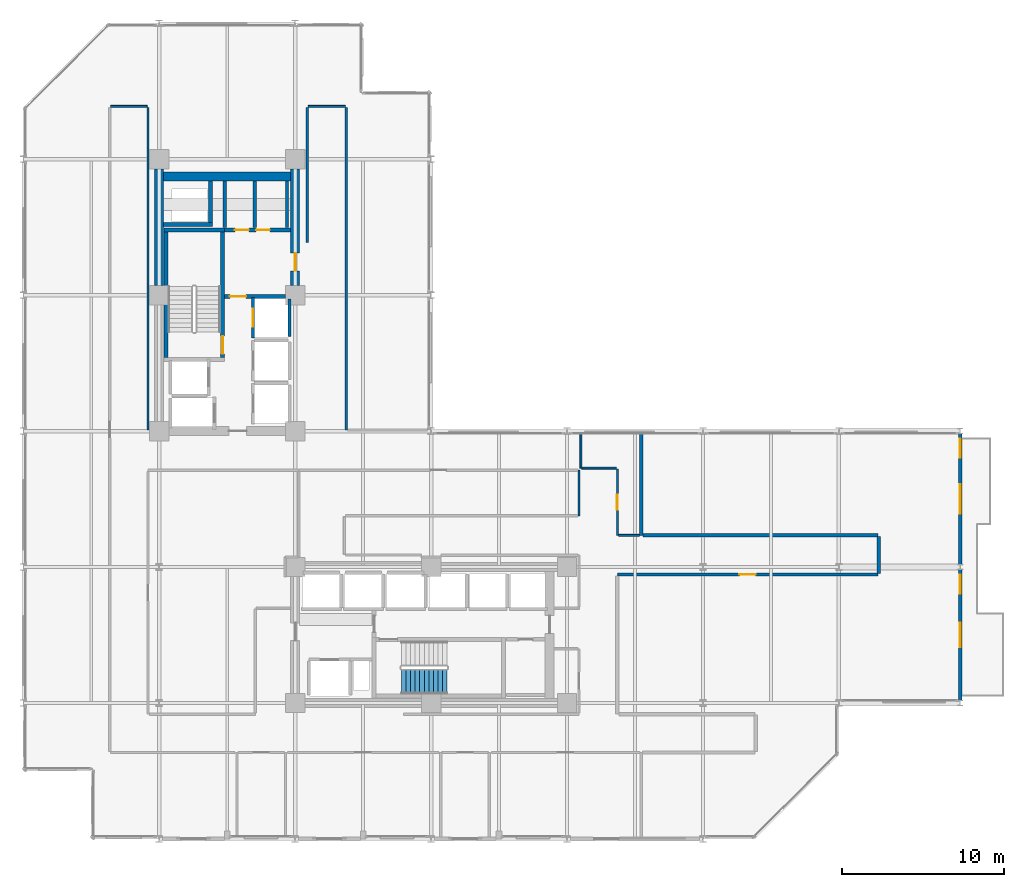
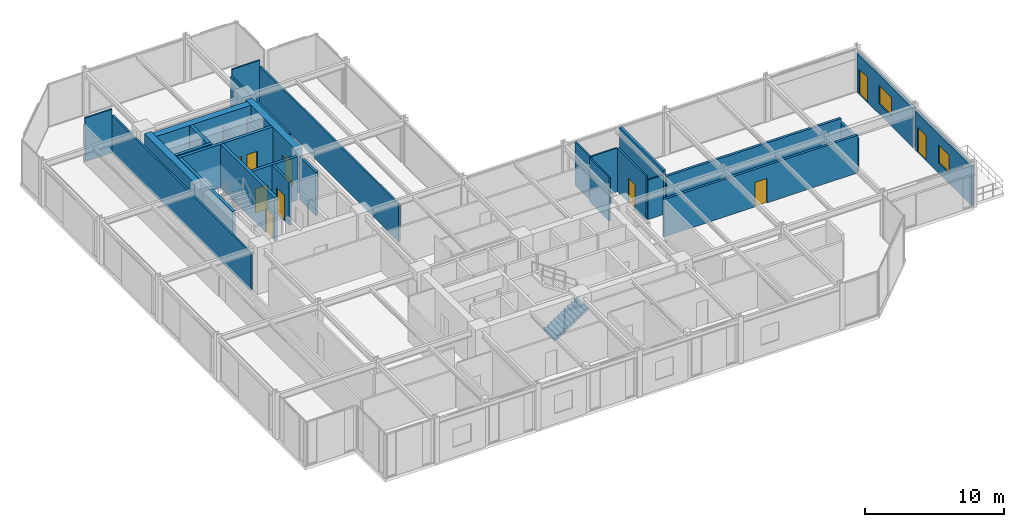
# One storey, part 34 of 38: 31 walls, 10 doors, 2 windows, 1 stair flight, 12 openings, 1 element without a shape of its own.
"""IFC4 building model written with IfcOpenShell, lengths in metres."""

from ifc_helpers import new_model, si_unit, direction, frame, frame_2d, origin, place, context, subcontext, project, spatial, polyline, rectangle, outline, extrude, material, layer, layer_set, type_object, element, fill, aggregate, save


model = new_model("IFC4")

# Units and contexts
model_context = context("Model", 3, precision=1e-05, world=origin(), true_north=direction((0.0, 1.0)))
body_context = subcontext(model_context, "Body", "Model", "MODEL_VIEW")
ifc_project = project(units=[si_unit("LENGTHUNIT", "METRE"), si_unit("AREAUNIT", "SQUARE_METRE"), si_unit("VOLUMEUNIT", "CUBIC_METRE"), si_unit("PLANEANGLEUNIT", "RADIAN"), si_unit("MASSUNIT", "GRAM", prefix="KILO")], contexts=[model_context])

# Site, building, storey
site_placement = place(None, origin())
site = spatial("IfcSite", under=ifc_project, at=site_placement, CompositionType="ELEMENT")
building_placement = place(site_placement, origin())
building = spatial("IfcBuilding", under=site, at=building_placement, Name="Nerrivon Quay Data Exchange", CompositionType="ELEMENT")
storey_placement = place(building_placement, frame((0.0, 0.0, 84.39990234375)))
storey = spatial("IfcBuildingStorey", under=building, at=storey_placement, Name="L19", CompositionType="ELEMENT", Elevation=84.39990234375)

# Wall, openings, door, window
ifc_material_1 = material(Name="Architectural terracotta precast concrete N50 (50 MPa)", Category="masonry")
ifc_layer_1 = layer(ifc_material_1, 0.239990234375)
ifc_layer_set_1 = layer_set([ifc_layer_1], Name="Architectural terracotta precast concrete N50 (50 MPa)")
wall_type_1 = type_object("IfcWallType", Name="EW-PREC-240", PredefinedType="STANDARD", material=ifc_layer_set_1)
wall_1_placement = place(storey_placement, frame((57.89990234375, 25.03662109375, 0.0), z_axis=(0.0, 0.0, 1.0), x_axis=(0.0, -1.0, 0.0)))
wall_1 = element("IfcWall", 1, at=wall_1_placement, inside=storey, type_object=wall_type_1, Name="L19 Terrace Host Wall 1", PredefinedType="STANDARD", context=body_context, shape_type="SweptSolid", body=[
    extrude(rectangle(XDim=8.0732421875, YDim=0.239990234375, at=frame_2d((4.03662109375, 0.0))), origin(), (0.0, 0.0, 1.0), 3.422119140625),
])
opening_1_placement = place(wall_1_placement, frame((0.300048828125, 0.0, 0.0)))
opening_1 = element("IfcOpeningElement", 2, at=opening_1_placement, cuts=wall_1, Name="Opening TD1", PredefinedType="OPENING", context=body_context, shape_type="SweptSolid", body=[
    extrude(rectangle(XDim=1.199951171875, YDim=2.199951171875, at=frame_2d((0.60009765625, 1.10009765625))), frame((0.0, 0.1298828125, 0.0), z_axis=(0.0, -1.0, 0.0), x_axis=(1.0, 0.0, 0.0)), (0.0, 0.0, 1.0), 0.260009765625),
])
opening_2_placement = place(wall_1_placement, frame((3.136474609375, 0.0, 0.89990234375)))
opening_2 = element("IfcOpeningElement", 3, at=opening_2_placement, cuts=wall_1, Name="Opening WN2", PredefinedType="OPENING", context=body_context, shape_type="SweptSolid", body=[
    extrude(rectangle(XDim=1.800048828125, YDim=1.60009765625, at=frame_2d((0.89990234375, 0.800048828125))), frame((0.0, 0.1298828125, 0.0), z_axis=(0.0, -1.0, 0.0), x_axis=(1.0, 0.0, 0.0)), (0.0, 0.0, 1.0), 0.260009765625),
])
ifc_material_2 = material(Name="Double-glazed low-E solar control glass", Category="glass")
door_type_1 = type_object("IfcDoorType", Name="DR-TERR-1200x2200", OperationType="NOTDEFINED", PredefinedType="DOOR", material=ifc_material_2)
door_1_placement = place(opening_1_placement, origin())
door_1 = element("IfcDoor", 4, at=door_1_placement, inside=storey, type_object=door_type_1, Name="L19 Outdoor Terrace Access Door 1", OperationType="SINGLE_SWING_RIGHT", OverallHeight=2.199951171875, OverallWidth=1.199951171875, PredefinedType="DOOR", context=body_context, shape_type="SweptSolid", body=[
    extrude(rectangle(XDim=1.199951171875, YDim=2.199951171875, at=frame_2d((0.60009765625, 1.10009765625))), frame((0.0, 0.02490234375, 0.0), z_axis=(0.0, -1.0, 0.0), x_axis=(1.0, 0.0, 0.0)), (0.0, 0.0, 1.0), 0.050048828125),
])
fill(opening_1, door_1)
window_type_1 = type_object("IfcWindowType", Name="WIN-W2-1800x1600", PartitioningType="SINGLE_PANEL", PredefinedType="WINDOW", material=ifc_material_2)
window_1_placement = place(opening_2_placement, origin())
window_1 = element("IfcWindow", 5, at=window_1_placement, inside=storey, type_object=window_type_1, Name="L19 Terrace Side Window 1", OverallHeight=1.60009765625, OverallWidth=1.800048828125, PartitioningType="SINGLE_PANEL", PredefinedType="WINDOW", context=body_context, shape_type="SweptSolid", body=[
    extrude(rectangle(XDim=1.800048828125, YDim=1.60009765625, at=frame_2d((0.89990234375, 0.800048828125))), frame((0.0, 0.030029296875, 0.0), z_axis=(0.0, -1.0, 0.0), x_axis=(1.0, 0.0, 0.0)), (0.0, 0.0, 1.0), 0.06005859375),
])
fill(opening_2, window_1)

wall_2_placement = place(storey_placement, frame((57.89990234375, 16.636474609375, 0.0), z_axis=(0.0, 0.0, 1.0), x_axis=(0.0, -1.0, 0.0)))
wall_2 = element("IfcWall", 6, at=wall_2_placement, inside=storey, type_object=wall_type_1, Name="L19 Terrace Host Wall 2", PredefinedType="STANDARD", context=body_context, shape_type="SweptSolid", body=[
    extrude(rectangle(XDim=8.072998046875, YDim=0.239990234375, at=frame_2d((4.03662109375, 0.0))), origin(), (0.0, 0.0, 1.0), 3.422119140625),
])
opening_3_placement = place(wall_2_placement, frame((0.300048828125, 0.0, 0.0)))
opening_3 = element("IfcOpeningElement", 7, at=opening_3_placement, cuts=wall_2, Name="Opening TD1", PredefinedType="OPENING", context=body_context, shape_type="SweptSolid", body=[
    extrude(rectangle(XDim=1.199951171875, YDim=2.199951171875, at=frame_2d((0.60009765625, 1.10009765625))), frame((0.0, 0.1298828125, 0.0), z_axis=(0.0, -1.0, 0.0), x_axis=(1.0, 0.0, 0.0)), (0.0, 0.0, 1.0), 0.260009765625),
])
opening_4_placement = place(wall_2_placement, frame((3.28662109375, 0.0, 0.89990234375)))
opening_4 = element("IfcOpeningElement", 8, at=opening_4_placement, cuts=wall_2, Name="Opening WN4", PredefinedType="OPENING", context=body_context, shape_type="SweptSolid", body=[
    extrude(rectangle(XDim=1.5, YDim=1.60009765625, at=frame_2d((0.75, 0.800048828125))), frame((0.0, 0.1298828125, 0.0), z_axis=(0.0, -1.0, 0.0), x_axis=(1.0, 0.0, 0.0)), (0.0, 0.0, 1.0), 0.260009765625),
])
door_2_placement = place(opening_3_placement, origin())
door_2 = element("IfcDoor", 9, at=door_2_placement, inside=storey, type_object=door_type_1, Name="L19 Outdoor Terrace Access Door 2", OperationType="SINGLE_SWING_LEFT", OverallHeight=2.199951171875, OverallWidth=1.199951171875, PredefinedType="DOOR", context=body_context, shape_type="SweptSolid", body=[
    extrude(rectangle(XDim=1.199951171875, YDim=2.199951171875, at=frame_2d((0.60009765625, 1.10009765625))), frame((0.0, 0.02490234375, 0.0), z_axis=(0.0, -1.0, 0.0), x_axis=(1.0, 0.0, 0.0)), (0.0, 0.0, 1.0), 0.050048828125),
])
fill(opening_3, door_2)
window_type_2 = type_object("IfcWindowType", Name="WIN-W4-1500x1600", PartitioningType="SINGLE_PANEL", PredefinedType="WINDOW", material=ifc_material_2)
window_2_placement = place(opening_4_placement, origin())
window_2 = element("IfcWindow", 10, at=window_2_placement, inside=storey, type_object=window_type_2, Name="L19 Terrace Side Window 2", OverallHeight=1.60009765625, OverallWidth=1.5, PartitioningType="SINGLE_PANEL", PredefinedType="WINDOW", context=body_context, shape_type="SweptSolid", body=[
    extrude(rectangle(XDim=1.5, YDim=1.60009765625, at=frame_2d((0.75, 0.800048828125))), frame((0.0, 0.030029296875, 0.0), z_axis=(0.0, -1.0, 0.0), x_axis=(1.0, 0.0, 0.0)), (0.0, 0.0, 1.0), 0.06005859375),
])
fill(opening_4, window_2)

# Walls
ifc_material_3 = material(Name="Concrete S65 (65 MPa)", Category="concrete")
ifc_layer_2 = layer(ifc_material_3, 0.550048828125)
ifc_layer_set_2 = layer_set([ifc_layer_2], Name="Concrete S65 (65 MPa)")
wall_type_2 = type_object("IfcWallType", Name="WALL-CW-700", PredefinedType="SHEAR", material=ifc_layer_set_2)
wall_3_placement = place(storey_placement, frame((8.39990234375, 34.199951171875, 0.0), z_axis=(0.0, 0.0, 1.0), x_axis=(0.0, 1.0, 0.0)))
element("IfcWall", 11, at=wall_3_placement, inside=storey, type_object=wall_type_2, Name="L19 West Split-Core Shear Wall WCW-W2", PredefinedType="SHEAR", context=body_context, shape_type="SweptSolid", body=[
    extrude(rectangle(XDim=7.199951171875, YDim=0.550048828125, at=frame_2d((3.60009765625, 0.0))), origin(), (0.0, 0.0, 1.0), 3.8251953125),
])
wall_4_placement = place(storey_placement, frame((8.675048828125, 40.925048828125, 0.0), z_axis=(0.0, 0.0, 1.0), x_axis=(1.0, 0.0, 0.0)))
element("IfcWall", 12, at=wall_4_placement, inside=storey, type_object=wall_type_2, Name="L19 West Split-Core Shear Wall WCW-N1", PredefinedType="SHEAR", context=body_context, shape_type="SweptSolid", body=[
    extrude(rectangle(XDim=7.849853515625, YDim=0.550048828125, at=frame_2d((3.9248046875, 0.0))), origin(), (0.0, 0.0, 1.0), 3.8251953125),
])

# Wall, opening, door
wall_5_placement = place(storey_placement, frame((16.800048828125, 34.199951171875, 0.0), z_axis=(0.0, 0.0, 1.0), x_axis=(0.0, 1.0, 0.0)))
wall_5 = element("IfcWall", 13, at=wall_5_placement, inside=storey, type_object=wall_type_2, Name="L19 West Split-Core Shear Wall WCW-E1", PredefinedType="SHEAR", context=body_context, shape_type="SweptSolid", body=[
    extrude(rectangle(XDim=7.199951171875, YDim=0.550048828125, at=frame_2d((3.60009765625, 0.0))), origin(), (0.0, 0.0, 1.0), 3.8251953125),
])
opening_5_placement = place(wall_5_placement, frame((0.89990234375, 0.0, 0.0)))
opening_5 = element("IfcOpeningElement", 14, at=opening_5_placement, cuts=wall_5, Name="Opening FD-120", PredefinedType="OPENING", context=body_context, shape_type="SweptSolid", body=[
    extrude(rectangle(XDim=1.10009765625, YDim=2.14990234375, at=frame_2d((0.550048828125, 1.074951171875))), frame((0.0, 0.284912109375, 0.0), z_axis=(0.0, -1.0, 0.0), x_axis=(1.0, 0.0, 0.0)), (0.0, 0.0, 1.0), 0.570068359375),
])
ifc_material_4 = material(Name="Powder-coated galvanized steel sheet", Category="steel")
door_type_2 = type_object("IfcDoorType", Name="DR-FD120-1100", OperationType="NOTDEFINED", PredefinedType="DOOR", material=ifc_material_4)
door_3_placement = place(opening_5_placement, origin())
door_3 = element("IfcDoor", 15, at=door_3_placement, inside=storey, type_object=door_type_2, Name="L19 West Core Lobby Fire Door", OperationType="SINGLE_SWING_RIGHT", OverallHeight=2.14990234375, OverallWidth=1.10009765625, PredefinedType="DOOR", context=body_context, shape_type="SweptSolid", body=[
    extrude(rectangle(XDim=1.10009765625, YDim=2.14990234375, at=frame_2d((0.550048828125, 1.074951171875))), frame((0.0, 0.02490234375, 0.0), z_axis=(0.0, -1.0, 0.0), x_axis=(1.0, 0.0, 0.0)), (0.0, 0.0, 1.0), 0.050048828125),
])
fill(opening_5, door_3)

ifc_material_5 = material(Name="Gypsum plasterboard on cold-formed framing", Category="gypsum")
ifc_layer_3 = layer(ifc_material_5, 0.199951171875)
ifc_layer_set_3 = layer_set([ifc_layer_3], Name="Gypsum plasterboard on cold-formed framing")
wall_type_3 = type_object("IfcWallType", Name="WALL-FW-200", PredefinedType="PARTITIONING", material=ifc_layer_set_3)
wall_6_placement = place(storey_placement, frame((14.199951171875, 30.949951171875, 0.0), z_axis=(0.0, 0.0, 1.0), x_axis=(0.0, 1.0, 0.0)))
wall_6 = element("IfcWall", 16, at=wall_6_placement, inside=storey, type_object=wall_type_3, Name="L19 Lift Front Wall PL3", PredefinedType="PARTITIONING", context=body_context, shape_type="SweptSolid", body=[
    extrude(rectangle(XDim=2.5, YDim=0.199951171875, at=frame_2d((1.25, 0.0))), origin(), (0.0, 0.0, 1.0), 3.8251953125),
])
opening_6_placement = place(wall_6_placement, frame((0.699951171875, 0.0, 0.0)))
opening_6 = element("IfcOpeningElement", 17, at=opening_6_placement, cuts=wall_6, Name="Opening LD-120", PredefinedType="OPENING", context=body_context, shape_type="SweptSolid", body=[
    extrude(rectangle(XDim=1.10009765625, YDim=2.199951171875, at=frame_2d((0.550048828125, 1.10009765625))), frame((0.0, 0.10986328125, 0.0), z_axis=(0.0, -1.0, 0.0), x_axis=(1.0, 0.0, 0.0)), (0.0, 0.0, 1.0), 0.219970703125),
])
door_type_3 = type_object("IfcDoorType", Name="DR-LIFT-LD120", OperationType="DOUBLE_DOOR_SLIDING", PredefinedType="DOOR", material=ifc_material_4)
door_4_placement = place(opening_6_placement, origin())
door_4 = element("IfcDoor", 18, at=door_4_placement, inside=storey, type_object=door_type_3, Name="L19 Lift Landing Sliding Door PL3", OperationType="DOUBLE_DOOR_SLIDING", OverallHeight=2.199951171875, OverallWidth=1.10009765625, PredefinedType="DOOR", context=body_context, shape_type="SweptSolid", body=[
    extrude(rectangle(XDim=1.10009765625, YDim=2.199951171875, at=frame_2d((0.550048828125, 1.10009765625))), frame((0.0, 0.02490234375, 0.0), z_axis=(0.0, -1.0, 0.0), x_axis=(1.0, 0.0, 0.0)), (0.0, 0.0, 1.0), 0.050048828125),
])
fill(opening_6, door_4)

# Walls
wall_7_placement = place(storey_placement, frame((16.449951171875, 31.050048828125, 0.0), z_axis=(0.0, 0.0, 1.0), x_axis=(0.0, 1.0, 0.0)))
element("IfcWall", 19, at=wall_7_placement, inside=storey, type_object=wall_type_3, Name="L19 Lift Shaft Wall PL3 EAST", PredefinedType="PARTITIONING", context=body_context, shape_type="SweptSolid", body=[
    extrude(rectangle(XDim=2.300048828125, YDim=0.199951171875, at=frame_2d((1.14990234375, 0.0))), origin(), (0.0, 0.0, 1.0), 3.8251953125),
])
for number, where, z_axis, x_axis, name in (
    (20, (14.300048828125, 37.780029296875, 0.0), (0.0, 0.0, 1.0), (0.0, 1.0, 0.0), "L19 Partition Cleaners Store"),
    (21, (12.449951171875, 40.64599609375, 0.0), (0.0, 0.0, 1.0), (0.0, -1.0, 0.0), "L19 Partition Cleaners Store"),
    (22, (16.300048828125, 37.780029296875, 0.0), (0.0, 0.0, 1.0), (0.0, 1.0, 0.0), "L19 Partition Janitor Closet"),
):
    element("IfcWall", number, at=place(storey_placement, frame(where, z_axis=z_axis, x_axis=x_axis)), inside=storey, type_object=wall_type_3, Name=name, PredefinedType="PARTITIONING", context=body_context, shape_type="SweptSolid", body=[
        extrude(rectangle(XDim=2.865966796875, YDim=0.199951171875, at=frame_2d((1.43310546875, 0.0))), origin(), (0.0, 0.0, 1.0), 2.72509765625),
    ])

# Wall, opening, door
wall_8_placement = place(storey_placement, frame((52.800048828125, 16.340087890625, 0.0), z_axis=(0.0, 0.0, 1.0), x_axis=(-1.0, 0.0, 0.0)))
wall_8 = element("IfcWall", 23, at=wall_8_placement, inside=storey, type_object=wall_type_3, Name="L19 Partition Colocation Data Workspace 1", PredefinedType="PARTITIONING", context=body_context, shape_type="SweptSolid", body=[
    extrude(rectangle(XDim=16.090087890625, YDim=0.199951171875, at=frame_2d((8.044921875, 0.0))), origin(), (0.0, 0.0, 1.0), 3.297119140625),
])
opening_7_placement = place(wall_8_placement, frame((7.544921875, 0.0, 0.0)))
opening_7 = element("IfcOpeningElement", 24, at=opening_7_placement, cuts=wall_8, Name="Opening FD-60", PredefinedType="OPENING", context=body_context, shape_type="SweptSolid", body=[
    extrude(rectangle(XDim=1.0, YDim=2.14990234375, at=frame_2d((0.5, 1.074951171875))), frame((0.0, 0.10986328125, 0.0), z_axis=(0.0, -1.0, 0.0), x_axis=(1.0, 0.0, 0.0)), (0.0, 0.0, 1.0), 0.219970703125),
])
ifc_material_6 = material(Name="Engineered hardwood timber", Category="wood")
door_type_4 = type_object("IfcDoorType", Name="DR-FD60-1000", OperationType="NOTDEFINED", PredefinedType="DOOR", material=ifc_material_6)
door_5_placement = place(opening_7_placement, origin())
door_5 = element("IfcDoor", 25, at=door_5_placement, inside=storey, type_object=door_type_4, Name="L19 Door Colocation Data Workspace 1", OperationType="SINGLE_SWING_RIGHT", OverallHeight=2.14990234375, OverallWidth=1.0, PredefinedType="DOOR", context=body_context, shape_type="SweptSolid", body=[
    extrude(rectangle(XDim=1.0, YDim=2.14990234375, at=frame_2d((0.5, 1.074951171875))), frame((0.0, 0.02490234375, 0.0), z_axis=(0.0, -1.0, 0.0), x_axis=(1.0, 0.0, 0.0)), (0.0, 0.0, 1.0), 0.050048828125),
])
fill(opening_7, door_5)

# Walls
wall_9_placement = place(storey_placement, frame((38.181884765625, 25.031005859375, 0.0), z_axis=(0.0, 0.0, 1.0), x_axis=(0.0, -1.0, 0.0)))
element("IfcWall", 26, at=wall_9_placement, inside=storey, type_object=wall_type_3, Name="L19 Partition Colocation Data Workspace 1", PredefinedType="PARTITIONING", context=body_context, shape_type="SweptSolid", body=[
    extrude(rectangle(XDim=6.27099609375, YDim=0.199951171875, at=frame_2d((3.135498046875, 0.0))), origin(), (0.0, 0.0, 1.0), 3.8251953125),
])
wall_10_placement = place(storey_placement, frame((38.285888671875, 18.760009765625, 0.0), z_axis=(0.0, 0.0, 1.0), x_axis=(1.0, 0.0, 0.0)))
element("IfcWall", 27, at=wall_10_placement, inside=storey, type_object=wall_type_3, Name="L19 Partition Colocation Data Workspace 1", PredefinedType="PARTITIONING", context=body_context, shape_type="SweptSolid", body=[
    extrude(rectangle(XDim=14.51416015625, YDim=0.199951171875, at=frame_2d((7.257080078125, 0.0))), origin(), (0.0, 0.0, 1.0), 3.297119140625),
])
wall_11_placement = place(storey_placement, frame((52.860107421875, 18.699951171875, 0.0), z_axis=(0.0, 0.0, 1.0), x_axis=(0.0, -1.0, 0.0)))
element("IfcWall", 28, at=wall_11_placement, inside=storey, type_object=wall_type_3, Name="L19 Partition Colocation Data Workspace 1", PredefinedType="PARTITIONING", context=body_context, shape_type="SweptSolid", body=[
    extrude(rectangle(XDim=2.300048828125, YDim=0.199951171875, at=frame_2d((1.14990234375, 0.0))), origin(), (0.0, 0.0, 1.0), 2.9150390625),
])
ifc_layer_4 = layer(ifc_material_5, 0.1201171875)
ifc_layer_set_4 = layer_set([ifc_layer_4], Name="Gypsum plasterboard on cold-formed framing")
wall_type_4 = type_object("IfcWallType", Name="WALL-PT-120", PredefinedType="PARTITIONING", material=ifc_layer_set_4)
wall_12_placement = place(storey_placement, frame((34.340087890625, 19.9599609375, 0.0), z_axis=(0.0, 0.0, 1.0), x_axis=(0.0, 1.0, 0.0)))
element("IfcWall", 29, at=wall_12_placement, inside=storey, type_object=wall_type_4, Name="L19 Partition Technical Library", PredefinedType="PARTITIONING", context=body_context, shape_type="SweptSolid", body=[
    extrude(rectangle(XDim=2.830078125, YDim=0.1201171875, at=frame_2d((1.4150390625, 0.0))), origin(), (0.0, 0.0, 1.0), 3.8251953125),
])
wall_13_placement = place(storey_placement, frame((36.781494140625, 18.760009765625, 0.0), z_axis=(0.0, 0.0, 1.0), x_axis=(1.0, 0.0, 0.0)))
element("IfcWall", 30, at=wall_13_placement, inside=storey, type_object=wall_type_4, Name="L19 Partition Optical Engineering Studios Workspace", PredefinedType="PARTITIONING", context=body_context, shape_type="SweptSolid", body=[
    extrude(rectangle(XDim=1.29638671875, YDim=0.1201171875, at=frame_2d((0.648193359375, 0.0))), origin(), (0.0, 0.0, 1.0), 3.468994140625),
])
wall_14_placement = place(storey_placement, frame((34.4599609375, 25.031005859375, 0.0), z_axis=(0.0, 0.0, 1.0), x_axis=(0.0, -1.0, 0.0)))
element("IfcWall", 31, at=wall_14_placement, inside=storey, type_object=wall_type_4, Name="L19 Partition Optical Engineering Studios Workspace", PredefinedType="PARTITIONING", context=body_context, shape_type="SweptSolid", body=[
    extrude(rectangle(XDim=2.12109375, YDim=0.1201171875, at=frame_2d((1.060546875, 0.0))), origin(), (0.0, 0.0, 1.0), 3.8251953125),
])
wall_15_placement = place(storey_placement, frame((34.52392578125, 22.909912109375, 0.0), z_axis=(0.0, 0.0, 1.0), x_axis=(1.0, 0.0, 0.0)))
element("IfcWall", 32, at=wall_15_placement, inside=storey, type_object=wall_type_4, Name="L19 Partition Optical Engineering Studios Workspace", PredefinedType="PARTITIONING", context=body_context, shape_type="SweptSolid", body=[
    extrude(rectangle(XDim=2.1259765625, YDim=0.1201171875, at=frame_2d((1.06298828125, 0.0))), origin(), (0.0, 0.0, 1.0), 3.8251953125),
])
wall_16_placement = place(storey_placement, frame((5.39990234375, 45.260009765625, 0.0), z_axis=(0.0, 0.0, 1.0), x_axis=(1.0, 0.0, 0.0)))
element("IfcWall", 33, at=wall_16_placement, inside=storey, type_object=wall_type_4, Name="L19 Partition Optical Engineering Studios Workspace", PredefinedType="PARTITIONING", context=body_context, shape_type="SweptSolid", body=[
    extrude(rectangle(XDim=2.25, YDim=0.1201171875, at=frame_2d((1.125, 0.0))), origin(), (0.0, 0.0, 1.0), 3.8251953125),
])
wall_17_placement = place(storey_placement, frame((17.60009765625, 45.260009765625, 0.0), z_axis=(0.0, 0.0, 1.0), x_axis=(1.0, 0.0, 0.0)))
element("IfcWall", 34, at=wall_17_placement, inside=storey, type_object=wall_type_4, Name="L19 Partition Optical Engineering Studios Workspace", PredefinedType="PARTITIONING", context=body_context, shape_type="SweptSolid", body=[
    extrude(rectangle(XDim=2.2998046875, YDim=0.1201171875, at=frame_2d((1.14990234375, 0.0))), origin(), (0.0, 0.0, 1.0), 3.8251953125),
])

# Wall, opening, door
ifc_layer_5 = layer(ifc_material_5, 0.135009765625)
ifc_layer_set_5 = layer_set([ifc_layer_5], Name="Gypsum plasterboard on cold-formed framing")
wall_type_5 = type_object("IfcWallType", Name="WALL-PT-135", PredefinedType="PARTITIONING", material=ifc_layer_set_5)
wall_18_placement = place(storey_placement, frame((36.7099609375, 22.85009765625, 0.0), z_axis=(0.0, 0.0, 1.0), x_axis=(0.0, -1.0, 0.0)))
wall_18 = element("IfcWall", 35, at=wall_18_placement, inside=storey, type_object=wall_type_5, Name="L19 Partition Optical Engineering Studios Workspace", PredefinedType="PARTITIONING", context=body_context, shape_type="SweptSolid", body=[
    extrude(rectangle(XDim=4.090087890625, YDim=0.135009765625, at=frame_2d((2.044921875, 0.0))), origin(), (0.0, 0.0, 1.0), 3.8251953125),
])
opening_8_placement = place(wall_18_placement, frame((1.570068359375, 0.0, 0.0)))
opening_8 = element("IfcOpeningElement", 36, at=opening_8_placement, cuts=wall_18, Name="Opening D-01", PredefinedType="OPENING", context=body_context, shape_type="SweptSolid", body=[
    extrude(rectangle(XDim=0.949951171875, YDim=2.14990234375, at=frame_2d((0.47509765625, 1.074951171875))), frame((0.0, 0.077392578125, 0.0), z_axis=(0.0, -1.0, 0.0), x_axis=(1.0, 0.0, 0.0)), (0.0, 0.0, 1.0), 0.155029296875),
])
door_type_5 = type_object("IfcDoorType", Name="DR-INT-950", OperationType="NOTDEFINED", PredefinedType="DOOR", material=ifc_material_6)
door_6_placement = place(opening_8_placement, origin())
door_6 = element("IfcDoor", 37, at=door_6_placement, inside=storey, type_object=door_type_5, Name="L19 Door Optical Engineering Studios Workspace", OperationType="SINGLE_SWING_LEFT", OverallHeight=2.14990234375, OverallWidth=0.949951171875, PredefinedType="DOOR", context=body_context, shape_type="SweptSolid", body=[
    extrude(rectangle(XDim=0.949951171875, YDim=2.14990234375, at=frame_2d((0.47509765625, 1.074951171875))), frame((0.0, 0.02490234375, 0.0), z_axis=(0.0, -1.0, 0.0), x_axis=(1.0, 0.0, 0.0)), (0.0, 0.0, 1.0), 0.050048828125),
])
fill(opening_8, door_6)

# Walls
ifc_layer_6 = layer(ifc_material_5, 0.14990234375)
ifc_layer_set_6 = layer_set([ifc_layer_6], Name="Gypsum plasterboard on cold-formed framing")
wall_type_6 = type_object("IfcWallType", Name="WALL-PT-150", PredefinedType="PARTITIONING", material=ifc_layer_set_6)
wall_19_placement = place(storey_placement, frame((7.709716796875, 45.205810546875, 0.0), z_axis=(0.0, 0.0, 1.0), x_axis=(1.2240202e-05, -0.999999999925, 0.0)))
element("IfcWall", 38, at=wall_19_placement, inside=storey, type_object=wall_type_6, Name="L19 Partition Optical Engineering Studios Workspace", PredefinedType="PARTITIONING", context=body_context, shape_type="SweptSolid", body=[
    extrude(rectangle(XDim=19.94580078125, YDim=0.14990234375, at=frame_2d((9.972900390625, 0.0))), origin(), (0.0, 0.0, 1.0), 3.2919921875),
])
wall_20_placement = place(storey_placement, frame((17.5400390625, 36.860107421875, 0.0), z_axis=(0.0, 0.0, 1.0), x_axis=(0.0, 1.0, 0.0)))
element("IfcWall", 39, at=wall_20_placement, inside=storey, type_object=wall_type_6, Name="L19 Partition Optical Engineering Studios Workspace", PredefinedType="PARTITIONING", context=body_context, shape_type="SweptSolid", body=[
    extrude(rectangle(XDim=8.33984375, YDim=0.14990234375, at=frame_2d((4.169921875, 0.0))), origin(), (0.0, 0.0, 1.0), 3.2919921875),
])
wall_21_placement = place(storey_placement, frame((19.9599609375, 45.199951171875, 0.0), z_axis=(0.0, 0.0, 1.0), x_axis=(0.0, -1.0, 0.0)))
element("IfcWall", 40, at=wall_21_placement, inside=storey, type_object=wall_type_6, Name="L19 Partition Optical Engineering Studios Workspace", PredefinedType="PARTITIONING", context=body_context, shape_type="SweptSolid", body=[
    extrude(rectangle(XDim=19.93994140625, YDim=0.14990234375, at=frame_2d((9.969970703125, 0.0))), origin(), (0.0, 0.0, 1.0), 3.2919921875),
])
ifc_material_7 = material(Name="Concrete N50 (50 MPa)", Category="concrete")
ifc_layer_7 = layer(ifc_material_7, 0.25)
ifc_layer_set_7 = layer_set([ifc_layer_7], Name="Concrete N50 (50 MPa)")
wall_type_7 = type_object("IfcWallType", Name="WALL-SW-250", PredefinedType="SHEAR", material=ifc_layer_set_7)
wall_22_placement = place(storey_placement, frame((12.449951171875, 37.625, 0.0), z_axis=(0.0, 0.0, 1.0), x_axis=(-1.0, 0.0, 0.0)))
element("IfcWall", 41, at=wall_22_placement, inside=storey, type_object=wall_type_7, Name="L19 ST01 Structural Stair Core Wall FAR", PredefinedType="SHEAR", context=body_context, shape_type="SweptSolid", body=[
    extrude(rectangle(XDim=3.75, YDim=0.25, at=frame_2d((1.875, 0.0))), origin(), (0.0, 0.0, 1.0), 3.8251953125),
])

# Wall, opening, door
wall_23_placement = place(storey_placement, frame((12.324951171875, 29.75, 0.0), z_axis=(0.0, 0.0, 1.0), x_axis=(0.0, 1.0, 0.0)))
wall_23 = element("IfcWall", 42, at=wall_23_placement, inside=storey, type_object=wall_type_7, Name="L19 ST01 Structural Stair Core Wall LEFT", PredefinedType="SHEAR", context=body_context, shape_type="SweptSolid", body=[
    extrude(rectangle(XDim=7.75, YDim=0.25, at=frame_2d((3.875, 0.0))), origin(), (0.0, 0.0, 1.0), 3.8251953125),
])
opening_9_placement = place(wall_23_placement, frame((0.219970703125, 0.0, 0.0)))
opening_9 = element("IfcOpeningElement", 43, at=opening_9_placement, cuts=wall_23, Name="Opening FD-120", PredefinedType="OPENING", context=body_context, shape_type="SweptSolid", body=[
    extrude(rectangle(XDim=1.10009765625, YDim=2.14990234375, at=frame_2d((0.550048828125, 1.074951171875))), frame((0.0, 0.135009765625, 0.0), z_axis=(0.0, -1.0, 0.0), x_axis=(1.0, 0.0, 0.0)), (0.0, 0.0, 1.0), 0.27001953125),
])
door_7_placement = place(opening_9_placement, origin())
door_7 = element("IfcDoor", 44, at=door_7_placement, inside=storey, type_object=door_type_2, Name="L19 Protected Stair Door ST01", OperationType="SINGLE_SWING_RIGHT", OverallHeight=2.14990234375, OverallWidth=1.10009765625, PredefinedType="DOOR", context=body_context, shape_type="SweptSolid", body=[
    extrude(rectangle(XDim=1.10009765625, YDim=2.14990234375, at=frame_2d((0.550048828125, 1.074951171875))), frame((0.0, 0.02490234375, 0.0), z_axis=(0.0, -1.0, 0.0), x_axis=(1.0, 0.0, 0.0)), (0.0, 0.0, 1.0), 0.050048828125),
])
fill(opening_9, door_7)

# Walls
wall_24_placement = place(storey_placement, frame((8.824951171875, 29.75, 0.0), z_axis=(0.0, 0.0, 1.0), x_axis=(0.0, 1.0, 0.0)))
element("IfcWall", 45, at=wall_24_placement, inside=storey, type_object=wall_type_7, Name="L19 ST01 Structural Stair Core Wall RIGHT", PredefinedType="SHEAR", context=body_context, shape_type="SweptSolid", body=[
    extrude(rectangle(XDim=7.75, YDim=0.25, at=frame_2d((3.875, 0.0))), origin(), (0.0, 0.0, 1.0), 3.8251953125),
])
wall_25_placement = place(storey_placement, frame((8.675048828125, 37.97509765625, 0.0), z_axis=(0.0, 0.0, 1.0), x_axis=(1.0, 0.0, 0.0)))
element("IfcWall", 46, at=wall_25_placement, inside=storey, type_object=wall_type_7, Name="L19 West Core MEP Riser Shaft Wall S", PredefinedType="SHEAR", context=body_context, shape_type="SweptSolid", body=[
    extrude(rectangle(XDim=3.02490234375, YDim=0.25, at=frame_2d((1.512451171875, 0.0))), origin(), (0.0, 0.0, 1.0), 3.8251953125),
])
wall_26_placement = place(storey_placement, frame((11.574951171875, 38.10009765625, 0.0), z_axis=(0.0, 0.0, 1.0), x_axis=(0.0, 1.0, 0.0)))
element("IfcWall", 47, at=wall_26_placement, inside=storey, type_object=wall_type_7, Name="L19 West Core MEP Riser Shaft Wall E", PredefinedType="SHEAR", context=body_context, shape_type="SweptSolid", body=[
    extrude(rectangle(XDim=2.5498046875, YDim=0.25, at=frame_2d((1.27490234375, 0.0))), origin(), (0.0, 0.0, 1.0), 3.8251953125),
])

# Wall, opening, door
wall_27_placement = place(storey_placement, frame((12.449951171875, 33.52001953125, 0.0), z_axis=(0.0, 0.0, 1.0), x_axis=(1.0, 0.0, 0.0)))
wall_27 = element("IfcWall", 48, at=wall_27_placement, inside=storey, type_object=wall_type_7, Name="L19 West Lobby Smoke-Stop Wall", PredefinedType="SHEAR", context=body_context, shape_type="SweptSolid", body=[
    extrude(rectangle(XDim=3.75, YDim=0.25, at=frame_2d((1.875, 0.0))), origin(), (0.0, 0.0, 1.0), 3.8251953125),
])
opening_10_placement = place(wall_27_placement, frame((0.320068359375, 0.0, 0.0)))
opening_10 = element("IfcOpeningElement", 49, at=opening_10_placement, cuts=wall_27, Name="Opening FD-60", PredefinedType="OPENING", context=body_context, shape_type="SweptSolid", body=[
    extrude(rectangle(XDim=1.0, YDim=2.14990234375, at=frame_2d((0.5, 1.074951171875))), frame((0.0, 0.135009765625, 0.0), z_axis=(0.0, -1.0, 0.0), x_axis=(1.0, 0.0, 0.0)), (0.0, 0.0, 1.0), 0.27001953125),
])
door_8_placement = place(opening_10_placement, origin())
door_8 = element("IfcDoor", 50, at=door_8_placement, inside=storey, type_object=door_type_4, Name="L19 West Firefighting Lobby Fire Door", OperationType="SINGLE_SWING_RIGHT", OverallHeight=2.14990234375, OverallWidth=1.0, PredefinedType="DOOR", context=body_context, shape_type="SweptSolid", body=[
    extrude(rectangle(XDim=1.0, YDim=2.14990234375, at=frame_2d((0.5, 1.074951171875))), frame((0.0, 0.02490234375, 0.0), z_axis=(0.0, -1.0, 0.0), x_axis=(1.0, 0.0, 0.0)), (0.0, 0.0, 1.0), 0.050048828125),
])
fill(opening_10, door_8)

# Wall, openings, doors
wall_28_placement = place(storey_placement, frame((12.449951171875, 37.625, 0.0), z_axis=(0.0, 0.0, 1.0), x_axis=(1.0, 0.0, 0.0)))
wall_28 = element("IfcWall", 51, at=wall_28_placement, inside=storey, type_object=wall_type_7, Name="L19 West Firefighting Lobby Wall", PredefinedType="SHEAR", context=body_context, shape_type="SweptSolid", body=[
    extrude(rectangle(XDim=4.074951171875, YDim=0.25, at=frame_2d((2.03759765625, 0.0))), origin(), (0.0, 0.0, 1.0), 3.8251953125),
])
opening_11_placement = place(wall_28_placement, frame((0.634521484375, 0.0, 0.0)))
opening_11 = element("IfcOpeningElement", 52, at=opening_11_placement, cuts=wall_28, Name="Opening FD-60S", PredefinedType="OPENING", context=body_context, shape_type="SweptSolid", body=[
    extrude(rectangle(XDim=0.85009765625, YDim=2.14990234375, at=frame_2d((0.425048828125, 1.074951171875))), frame((0.0, 0.135009765625, 0.0), z_axis=(0.0, -1.0, 0.0), x_axis=(1.0, 0.0, 0.0)), (0.0, 0.0, 1.0), 0.27001953125),
])
opening_12_placement = place(wall_28_placement, frame((1.9384765625, 0.0, 0.0)))
opening_12 = element("IfcOpeningElement", 53, at=opening_12_placement, cuts=wall_28, Name="Opening FD-60S", PredefinedType="OPENING", context=body_context, shape_type="SweptSolid", body=[
    extrude(rectangle(XDim=0.85009765625, YDim=2.14990234375, at=frame_2d((0.425048828125, 1.074951171875))), frame((0.0, 0.135009765625, 0.0), z_axis=(0.0, -1.0, 0.0), x_axis=(1.0, 0.0, 0.0)), (0.0, 0.0, 1.0), 0.27001953125),
])
door_type_6 = type_object("IfcDoorType", Name="DR-FD60-850", OperationType="NOTDEFINED", PredefinedType="DOOR", material=ifc_material_6)
door_9_placement = place(opening_11_placement, origin())
door_9 = element("IfcDoor", 54, at=door_9_placement, inside=storey, type_object=door_type_6, Name="L19 Door Cleaners Store", OperationType="SINGLE_SWING_RIGHT", OverallHeight=2.14990234375, OverallWidth=0.85009765625, PredefinedType="DOOR", context=body_context, shape_type="SweptSolid", body=[
    extrude(rectangle(XDim=0.85009765625, YDim=2.14990234375, at=frame_2d((0.425048828125, 1.074951171875))), frame((0.0, 0.02490234375, 0.0), z_axis=(0.0, -1.0, 0.0), x_axis=(1.0, 0.0, 0.0)), (0.0, 0.0, 1.0), 0.050048828125),
])
fill(opening_11, door_9)
door_10_placement = place(opening_12_placement, origin())
door_10 = element("IfcDoor", 55, at=door_10_placement, inside=storey, type_object=door_type_6, Name="L19 Door Janitor Closet", OperationType="SINGLE_SWING_LEFT", OverallHeight=2.14990234375, OverallWidth=0.85009765625, PredefinedType="DOOR", context=body_context, shape_type="SweptSolid", body=[
    extrude(rectangle(XDim=0.85009765625, YDim=2.14990234375, at=frame_2d((0.425048828125, 1.074951171875))), frame((0.0, 0.02490234375, 0.0), z_axis=(0.0, -1.0, 0.0), x_axis=(1.0, 0.0, 0.0)), (0.0, 0.0, 1.0), 0.050048828125),
])
fill(opening_12, door_10)

# Stair, stair flight
stair_type = type_object("IfcStairType", Name="STAIR-DOG-41", PredefinedType="HALF_TURN_STAIR", material=ifc_material_7)
stair_placement = place(storey_placement, origin())
stair = element("IfcStair", 56, at=stair_placement, inside=storey, type_object=stair_type, Name="L19 East Core Fire Stair ST02", PredefinedType="HALF_TURN_STAIR")
stair_flight_type = type_object("IfcStairFlightType", Name="FLIGHT-DOG-41", PredefinedType="STRAIGHT", material=ifc_material_7)
stair_flight_placement = place(storey_placement, frame((23.3798828125, 9.72509765625, 0.0), z_axis=(0.0, 0.0, 1.0), x_axis=(1.0, 0.0, 0.0)))
stair_flight = element("IfcStairFlight", 57, at=stair_flight_placement, type_object=stair_flight_type, Name="ST02 flight 1", NumberOfRisers=11, NumberOfTreads=10, PredefinedType="STRAIGHT", RiserHeight=0.186363636, TreadLength=0.28, context=body_context, shape_type="SweptSolid", body=[
    extrude(outline(polyline([(0.0, 0.0), (0.0, 0.186279296875), (0.280029296875, 0.186279296875), (0.280029296875, 0.372802734375), (0.56005859375, 0.372802734375), (0.56005859375, 0.55908203125), (0.840087890625, 0.55908203125), (0.840087890625, 0.745361328125), (1.1201171875, 0.745361328125), (1.1201171875, 0.931884765625), (1.39990234375, 0.931884765625), (1.39990234375, 1.1181640625), (1.679931640625, 1.1181640625), (1.679931640625, 1.304443359375), (1.9599609375, 1.304443359375), (1.9599609375, 1.490966796875), (2.239990234375, 1.490966796875), (2.239990234375, 1.67724609375), (2.52001953125, 1.67724609375), (2.52001953125, 1.863525390625), (2.800048828125, 1.863525390625), (2.800048828125, 2.050048828125), (2.800048828125, 1.68359375), (0.2705078125, 0.0), (0.0, 0.0)])), frame((0.0, 0.77490234375, 0.0), z_axis=(0.0, -1.0, 0.0), x_axis=(1.0, 0.0, 0.0)), (0.0, 0.0, 1.0), 1.550048828125),
])
aggregate(stair, [stair_flight])

save(model, "model.ifc")
